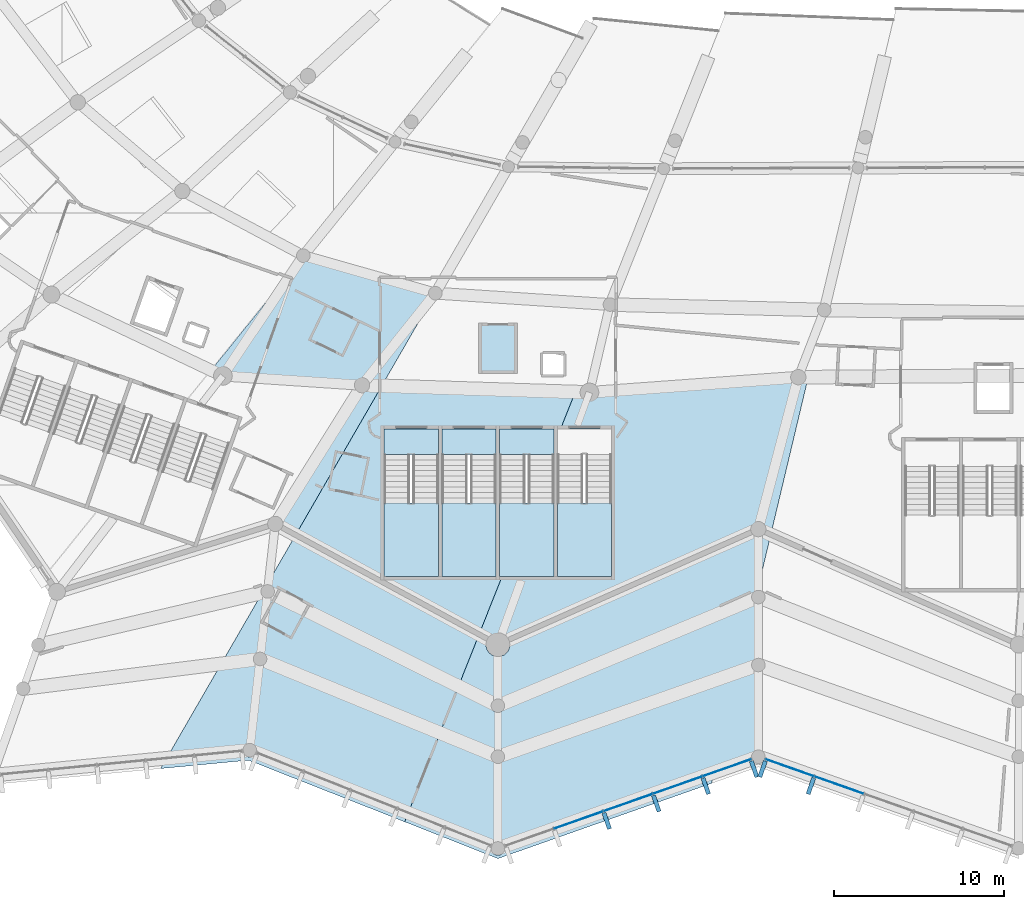
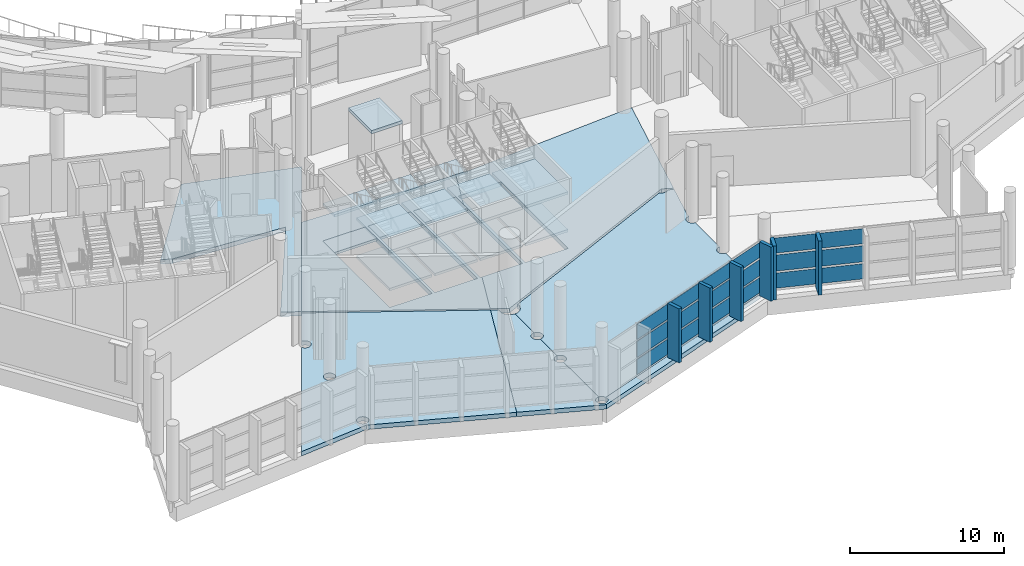
# One storey, part 100 of 249: 24 plates, 21 slabs, 6 elements without a shape of their own.
"""IFC4 building model written with IfcOpenShell, lengths in metres."""

import ifcopenshell
import ifcopenshell.guid

model = None  # the IFC model being written
_history = None  # IfcOwnerHistory: only IFC2X3 demands one
_inside = {}  # id of a spatial element -> (the spatial element, [elements in it])
_under = {}  # id of a project, library or spatial element -> (it, [spatial elements below it])
_declared = {}  # id of a project -> (the project, [libraries it declares])
_typed = {}  # id of a type object -> (the type object, [elements of that type])
_made_of = {}  # id of a material, layer set ... -> (it, [elements and type objects made of it])


def new_model(schema):
    """Start an empty IFC model of exactly this schema.

    Asked for "IFC4X3", IfcOpenShell would pick the latest addendum, in which some entities
    have other attributes; the version numbers below select the first issue.
    IFC2X3 requires an IfcOwnerHistory on every rooted entity: one is made here for all.
    """
    global model, _history
    if schema == "IFC4X3":
        model = ifcopenshell.file(schema_version=(4, 3, 0, 0))
    else:
        model = ifcopenshell.file(schema=schema)
    _inside.clear()
    _under.clear()
    _declared.clear()
    _typed.clear()
    _made_of.clear()
    _history = None
    if model.schema == "IFC2X3":
        org = make("IfcOrganization", Name="unknown")
        user = make(
            "IfcPersonAndOrganization",
            ThePerson=make("IfcPerson", FamilyName="unknown"),
            TheOrganization=org,
        )
        app = make(
            "IfcApplication",
            ApplicationDeveloper=org,
            Version="unknown",
            ApplicationFullName="unknown",
            ApplicationIdentifier="unknown",
        )
        _history = make(
            "IfcOwnerHistory",
            OwningUser=user,
            OwningApplication=app,
            ChangeAction="ADDED",
            CreationDate=0,
        )
    return model


def make(cls, **values):
    """One entity of the class cls with the attributes given. An attribute that is None is left unset."""
    return model.create_entity(
        cls, **{name: value for name, value in values.items() if value is not None}
    )


def rooted(cls, **values):
    """An entity with a GlobalId (a new one), such as an element, a storey or a relation."""
    return make(cls, GlobalId=ifcopenshell.guid.new(), OwnerHistory=_history, **values)


def si_unit(unit_type, name, prefix=None):
    """IfcSIUnit, for example si_unit("LENGTHUNIT", "METRE", prefix="MILLI")."""
    return make("IfcSIUnit", UnitType=unit_type, Prefix=prefix, Name=name)


def assignment(units):
    """IfcUnitAssignment: the units of a project."""
    return None if units is None else make("IfcUnitAssignment", Units=units)


def point(xyz):
    """IfcCartesianPoint."""
    return None if xyz is None else make("IfcCartesianPoint", Coordinates=xyz)


def direction(xyz):
    """IfcDirection."""
    return None if xyz is None else make("IfcDirection", DirectionRatios=xyz)


def frame(location, z_axis=None, x_axis=None):
    """IfcAxis2Placement3D, a coordinate frame: its origin and axes. An axis left out is left unset."""
    return make(
        "IfcAxis2Placement3D",
        Location=point(location),
        Axis=direction(z_axis),
        RefDirection=direction(x_axis),
    )


def frame_2d(location, x_axis=None):
    """IfcAxis2Placement2D, a coordinate frame in the plane: its origin and x axis."""
    return make(
        "IfcAxis2Placement2D", Location=point(location), RefDirection=direction(x_axis)
    )


def origin():
    """The frame at (0, 0, 0) with its axes left unset."""
    return frame((0.0, 0.0, 0.0))


def origin_2d():
    """The frame at (0, 0) in the plane with its x axis left unset."""
    return frame_2d((0.0, 0.0))


def place(relative_to, where):
    """IfcLocalPlacement: puts the frame where relative to a parent placement (None: the world)."""
    return make(
        "IfcLocalPlacement", PlacementRelTo=relative_to, RelativePlacement=where
    )


def context(
    kind, dimensions, precision=None, world=None, true_north=None, identifier=None
):
    """IfcGeometricRepresentationContext, for example the 3D "Model" context."""
    return make(
        "IfcGeometricRepresentationContext",
        ContextIdentifier=identifier,
        ContextType=kind,
        CoordinateSpaceDimension=dimensions,
        Precision=precision,
        WorldCoordinateSystem=world,
        TrueNorth=true_north,
    )


def subcontext(parent, identifier, kind, view, scale=None):
    """IfcGeometricRepresentationSubContext, for example "Body" below "Model"."""
    return make(
        "IfcGeometricRepresentationSubContext",
        ContextIdentifier=identifier,
        ContextType=kind,
        ParentContext=parent,
        TargetScale=scale,
        TargetView=view,
    )


def project(units=None, contexts=None):
    """IfcProject with its units and contexts."""
    return rooted(
        "IfcProject",
        Name="project",
        RepresentationContexts=contexts,
        UnitsInContext=assignment(units),
    )


def spatial(cls, under=None, at=None, **own):
    """A site, building, storey or space (cls), placed at a placement, below another one or the project."""
    s = rooted(cls, ObjectPlacement=at, **own)
    if under is not None:
        _under.setdefault(under.id(), (under, []))[1].append(s)
    return s


def polyline(points):
    """IfcPolyline through the points."""
    return make("IfcPolyline", Points=[point(p) for p in points])


def profile(cls, at=None, kind="AREA", **sizes):
    """A parametric profile (cls). Its sizes go by their IFC names, for example OverallWidth=200.0."""
    return make(cls, ProfileType=kind, Position=at, **sizes)


def rectangle(**sizes):
    """IfcRectangleProfileDef."""
    return profile("IfcRectangleProfileDef", **sizes)


def outline(outer, holes=None, kind="AREA"):
    """IfcArbitraryClosedProfileDef: a profile drawn as a closed curve; with holes, ...WithVoids."""
    if holes is None:
        return make("IfcArbitraryClosedProfileDef", ProfileType=kind, OuterCurve=outer)
    return make(
        "IfcArbitraryProfileDefWithVoids",
        ProfileType=kind,
        OuterCurve=outer,
        InnerCurves=holes,
    )


def extrude(swept, where, along, depth):
    """IfcExtrudedAreaSolid: the profile swept, set in the frame where, extruded along a direction by depth."""
    return make(
        "IfcExtrudedAreaSolid",
        SweptArea=swept,
        Position=where,
        ExtrudedDirection=direction(along),
        Depth=depth,
    )


def shape(context_of_items, identifier, shape_type, items):
    """IfcShapeRepresentation: the items that make up one representation, for example the "Body"."""
    return make(
        "IfcShapeRepresentation",
        ContextOfItems=context_of_items,
        RepresentationIdentifier=identifier,
        RepresentationType=shape_type,
        Items=items,
    )


def material(Name=None, Category=None):
    """IfcMaterial."""
    return make("IfcMaterial", Name=Name, Category=Category)


def layer(
    of_material, thickness, ventilated=None, Name=None, Category=None, Priority=None
):
    """IfcMaterialLayer: one layer of a wall or slab, of a material (None: an air gap)."""
    return make(
        "IfcMaterialLayer",
        Material=of_material,
        LayerThickness=thickness,
        IsVentilated=ventilated,
        Name=Name,
        Category=Category,
        Priority=Priority,
    )


def layer_set(layers, Name=None):
    """IfcMaterialLayerSet."""
    return make("IfcMaterialLayerSet", MaterialLayers=layers, LayerSetName=Name)


def made_of(thing, what):
    """Note that an element or type object is made of a material, layer set ...; save() writes the relation."""
    if what is not None:
        _made_of.setdefault(what.id(), (what, []))[1].append(thing)
    return thing


def type_object(cls, material=None, **own):
    """A type object (cls), such as IfcWallType, which elements share."""
    return made_of(rooted(cls, **own), material)


def element(
    cls,
    number,
    at=None,
    inside=None,
    cuts=None,
    type_object=None,
    material=None,
    context=None,
    identifier="Body",
    shape_type=None,
    held_by="IfcProductDefinitionShape",
    body=None,
    shapes=None,
    **own,
):
    """One element of the class cls, such as IfcWall. Its Tag is "e" and its number.

    at: its placement. inside: the storey or other place that contains it. cuts: it is an
    opening in that element (IfcRelVoidsElement). A single representation is given by context,
    identifier, shape_type and body (its items); several are given by shapes. held_by: the class
    of the entity that holds the representations. save() writes the other relations.
    """
    e = rooted(cls, Tag="e%d" % number, ObjectPlacement=at, **own)
    if body is not None:
        shapes = [shape(context, identifier, shape_type, body)]
    if shapes is not None:
        e.Representation = make(held_by, Representations=shapes)
    if inside is not None:
        _inside.setdefault(inside.id(), (inside, []))[1].append(e)
    if cuts is not None:
        rooted(
            "IfcRelVoidsElement", RelatingBuildingElement=cuts, RelatedOpeningElement=e
        )
    if type_object is not None:
        _typed.setdefault(type_object.id(), (type_object, []))[1].append(e)
    return made_of(e, material)


def aggregate(whole, parts):
    """IfcRelAggregates: a whole, such as a stair, and the parts it consists of."""
    return rooted("IfcRelAggregates", RelatingObject=whole, RelatedObjects=parts)


def save(model, path):
    """Write the relations noted so far, then the file.

    IfcRelAggregates (storeys below a building ...), IfcRelContainedInSpatialStructure (elements
    in a storey), IfcRelDefinesByType, IfcRelAssociatesMaterial and IfcRelDeclares: one each for
    every whole, place, type object, material and project.
    """
    for whole, parts in _under.values():
        aggregate(whole, parts)
    for where, things in _inside.values():
        rooted(
            "IfcRelContainedInSpatialStructure",
            RelatedElements=things,
            RelatingStructure=where,
        )
    for kind, things in _typed.values():
        rooted("IfcRelDefinesByType", RelatedObjects=things, RelatingType=kind)
    for what, things in _made_of.values():
        rooted("IfcRelAssociatesMaterial", RelatedObjects=things, RelatingMaterial=what)
    for by, libraries in _declared.values():
        rooted("IfcRelDeclares", RelatingContext=by, RelatedDefinitions=libraries)
    model.write(path)


model = new_model("IFC4")

# Units and contexts
model_context = context("Model", 3, precision=1e-05, world=origin(), true_north=direction((0.0, 1.0)))
body_context = subcontext(model_context, "Body", "Model", "MODEL_VIEW")
ifc_project = project(units=[si_unit("LENGTHUNIT", "METRE"), si_unit("AREAUNIT", "SQUARE_METRE"), si_unit("VOLUMEUNIT", "CUBIC_METRE"), si_unit("PLANEANGLEUNIT", "RADIAN"), si_unit("MASSUNIT", "GRAM", prefix="KILO")], contexts=[model_context])

# Site, building, storey
site_placement = place(None, origin())
site = spatial("IfcSite", under=ifc_project, at=site_placement, CompositionType="ELEMENT")
building_placement = place(site_placement, origin())
building = spatial("IfcBuilding", under=site, at=building_placement, Name="Meseta Stadium", CompositionType="ELEMENT")
storey_placement = place(building_placement, frame((0.0, 0.0, 12.0)))
storey = spatial("IfcBuildingStorey", under=building, at=storey_placement, Name="L02", CompositionType="ELEMENT", Elevation=12.0)

# Slabs
ifc_material_1 = material(Name="Concrete C40/50", Category="concrete")
ifc_layer_1 = layer(ifc_material_1, 0.25)
ifc_layer_set_1 = layer_set([ifc_layer_1], Name="Core roof slab 250")
slab_type_1 = type_object("IfcSlabType", Name="Core roof slab 250", PredefinedType="ROOF", material=ifc_layer_set_1)
slab_1_placement = place(storey_placement, frame((0.0, 0.0, 4.60009765625)))
element("IfcSlab", 1, at=slab_1_placement, inside=storey, type_object=slab_type_1, Name="Core 23 lift overrun roof", PredefinedType="ROOF", context=body_context, shape_type="SweptSolid", body=[
    extrude(outline(polyline([(-39.4833984375, -89.451171875), (-39.4833984375, -86.451171875), (-37.183349609375, -86.451171875), (-37.183349609375, -89.451171875), (-39.4833984375, -89.451171875)])), origin(), (0.0, 0.0, 1.0), 0.25),
])
ifc_material_2 = material(Name="Concrete C40/50", Category="concrete")
ifc_layer_2 = layer(ifc_material_2, 0.35009765625)
ifc_layer_set_2 = layer_set([ifc_layer_2], Name="Floor slab 350")
slab_type_2 = type_object("IfcSlabType", Name="Floor slab 350", PredefinedType="FLOOR", material=ifc_layer_set_2)
slab_2_placement = place(storey_placement, frame((0.0, 0.0, -0.35009765625)))
element("IfcSlab", 2, at=slab_2_placement, inside=storey, type_object=slab_type_2, Name="Floor slab L02 sector 42 panel 02", PredefinedType="FLOOR", context=body_context, shape_type="SweptSolid", body=[
    extrude(outline(polyline([(-55.224365234375, -89.246826171875), (-54.523193359375, -89.579345703125), (-46.333251953125, -90.126220703125), (-51.44140625, -98.29443359375), (-50.244384765625, -98.943359375), (-42.015380859375, -84.707275390625), (-49.781005859375, -82.501953125), (-55.224365234375, -89.246826171875)])), origin(), (0.0, 0.0, 1.0), 0.35009765625),
])
slab_3_placement = place(storey_placement, frame((0.0, 0.0, -0.35009765625)))
element("IfcSlab", 3, at=slab_3_placement, inside=storey, type_object=slab_type_2, Name="Floor slab L02 sector 42 panel 04", PredefinedType="FLOOR", context=body_context, shape_type="SweptSolid", body=[
    extrude(outline(polyline([(-45.169189453125, -90.1630859375), (-50.244384765625, -98.943359375), (-39.443603515625, -104.798095703125), (-38.09521484375, -101.39990234375), (-38.2333984375, -101.39990234375), (-38.2333984375, -92.699951171875), (-35.033203125, -92.699951171875), (-35.033203125, -93.683837890625), (-34.833251953125, -93.179931640625), (-34.833251953125, -92.699951171875), (-34.642822265625, -92.699951171875), (-33.779541015625, -90.524658203125), (-45.169189453125, -90.1630859375)]), holes=[polyline([(-45.033203125, -92.699951171875), (-41.833251953125, -92.699951171875), (-41.833251953125, -101.39990234375), (-45.033203125, -101.39990234375), (-45.033203125, -92.699951171875)]), polyline([(-41.63330078125, -92.699951171875), (-38.433349609375, -92.699951171875), (-38.433349609375, -101.39990234375), (-41.63330078125, -101.39990234375), (-41.63330078125, -92.699951171875)])]), origin(), (0.0, 0.0, 1.0), 0.35009765625),
])
slab_4_placement = place(storey_placement, frame((0.0, 0.0, -0.35009765625)))
element("IfcSlab", 4, at=slab_4_placement, inside=storey, type_object=slab_type_2, Name="Floor slab L02 sector 42 panel 06", PredefinedType="FLOOR", context=body_context, shape_type="SweptSolid", body=[
    extrude(outline(polyline([(-35.033203125, -93.683837890625), (-35.033203125, -101.39990234375), (-38.09521484375, -101.39990234375), (-39.443603515625, -104.798095703125), (-38.333251953125, -105.39990234375), (-23.0, -98.60009765625), (-22.267822265625, -98.9248046875), (-20.059814453125, -89.651611328125), (-20.649658203125, -89.65625), (-32.944091796875, -90.551025390625), (-33.779541015625, -90.524658203125), (-34.642822265625, -92.699951171875), (-31.63330078125, -92.699951171875), (-31.63330078125, -101.39990234375), (-34.833251953125, -101.39990234375), (-34.833251953125, -93.179931640625), (-35.033203125, -93.683837890625)])), origin(), (0.0, 0.0, 1.0), 0.35009765625),
])
slab_5_placement = place(storey_placement, frame((0.0, 0.0, -0.35009765625)))
element("IfcSlab", 5, at=slab_5_placement, inside=storey, type_object=slab_type_2, Name="Ring floor slab L02 6 panel 02", PredefinedType="FLOOR", context=body_context, shape_type="SweptSolid", body=[
    extrude(outline(polyline([(-50.3193359375, -99.0732421875), (-51.937255859375, -101.8720703125), (-51.889404296875, -101.86572265625), (-51.784912109375, -101.879638671875), (-51.6875, -101.919921875), (-51.60400390625, -101.98388671875), (-51.539794921875, -102.0673828125), (-51.49951171875, -102.164794921875), (-51.48583984375, -102.269287109375), (-51.49951171875, -102.373779296875), (-51.539794921875, -102.470947265625), (-51.60400390625, -102.554443359375), (-51.6875, -102.61865234375), (-51.784912109375, -102.658935546875), (-51.889404296875, -102.672607421875), (-51.993896484375, -102.658935546875), (-52.091064453125, -102.61865234375), (-52.174560546875, -102.554443359375), (-52.23876953125, -102.470947265625), (-52.25732421875, -102.426025390625), (-58.19482421875, -112.697998046875), (-53.009033203125, -112.206298828125), (-43.822509765625, -115.8330078125), (-39.49951171875, -104.9384765625), (-50.3193359375, -99.0732421875)]), holes=[polyline([(-52.726806640625, -106.1396484375), (-52.6865234375, -106.04248046875), (-52.62255859375, -105.958740234375), (-52.538818359375, -105.894775390625), (-52.441650390625, -105.8544921875), (-52.337158203125, -105.8408203125), (-52.23291015625, -105.8544921875), (-52.135498046875, -105.894775390625), (-52.052001953125, -105.958740234375), (-51.98779296875, -106.04248046875), (-51.947509765625, -106.1396484375), (-51.93359375, -106.244140625), (-51.947509765625, -106.348388671875), (-51.98779296875, -106.44580078125), (-52.052001953125, -106.529296875), (-52.135498046875, -106.593505859375), (-52.23291015625, -106.6337890625), (-52.337158203125, -106.647705078125), (-52.441650390625, -106.6337890625), (-52.538818359375, -106.593505859375), (-52.62255859375, -106.529296875), (-52.6865234375, -106.44580078125), (-52.726806640625, -106.348388671875), (-52.740478515625, -106.244140625), (-52.726806640625, -106.1396484375)]), polyline([(-52.83740234375, -112.0), (-52.94189453125, -112.013671875), (-53.046142578125, -112.0), (-53.1435546875, -111.959716796875), (-53.22705078125, -111.8955078125), (-53.291259765625, -111.81201171875), (-53.33154296875, -111.714599609375), (-53.34521484375, -111.610107421875), (-53.33154296875, -111.505615234375), (-53.291259765625, -111.408447265625), (-53.22705078125, -111.324951171875), (-53.1435546875, -111.2607421875), (-53.046142578125, -111.220458984375), (-52.94189453125, -111.206787109375), (-52.83740234375, -111.220458984375), (-52.739990234375, -111.2607421875), (-52.656494140625, -111.324951171875), (-52.59228515625, -111.408447265625), (-52.552001953125, -111.505615234375), (-52.538330078125, -111.610107421875), (-52.552001953125, -111.714599609375), (-52.59228515625, -111.81201171875), (-52.656494140625, -111.8955078125), (-52.739990234375, -111.959716796875), (-52.83740234375, -112.0)])]), origin(), (0.0, 0.0, 1.0), 0.35009765625),
])
slab_6_placement = place(storey_placement, frame((0.0, 0.0, -0.35009765625)))
element("IfcSlab", 6, at=slab_6_placement, inside=storey, type_object=slab_type_2, Name="Ring floor slab L02 6 panel 03", PredefinedType="FLOOR", context=body_context, shape_type="SweptSolid", body=[
    extrude(outline(polyline([(-39.009765625, -105.203857421875), (-39.49951171875, -104.9384765625), (-43.822509765625, -115.8330078125), (-38.333251953125, -118.0), (-25.7548828125, -113.5703125), (-25.598876953125, -112.915283203125), (-37.95556640625, -117.266845703125), (-37.943603515625, -117.295654296875), (-37.929931640625, -117.39990234375), (-37.943603515625, -117.50439453125), (-37.98388671875, -117.601806640625), (-38.048095703125, -117.685302734375), (-38.131591796875, -117.74951171875), (-38.22900390625, -117.789794921875), (-38.333251953125, -117.803466796875), (-38.437744140625, -117.789794921875), (-38.53515625, -117.74951171875), (-38.61865234375, -117.685302734375), (-38.6826171875, -117.601806640625), (-38.722900390625, -117.50439453125), (-38.73681640625, -117.39990234375), (-38.722900390625, -117.295654296875), (-38.705078125, -117.252685546875), (-38.6826171875, -117.1982421875), (-38.61865234375, -117.11474609375), (-38.53515625, -117.050537109375), (-38.437744140625, -117.01025390625), (-38.333251953125, -116.99658203125), (-38.333251953125, -112.403564453125), (-38.437744140625, -112.3896484375), (-38.53515625, -112.349365234375), (-38.61865234375, -112.285400390625), (-38.6826171875, -112.20166015625), (-38.722900390625, -112.1044921875), (-38.73681640625, -112.0), (-38.722900390625, -111.8955078125), (-38.703369140625, -111.847900390625), (-38.6826171875, -111.79833984375), (-38.61865234375, -111.714599609375), (-38.53515625, -111.650634765625), (-38.437744140625, -111.6103515625), (-38.333251953125, -111.596435546875), (-38.333251953125, -109.403564453125), (-38.437744140625, -109.3896484375), (-38.53515625, -109.349365234375), (-38.61865234375, -109.285400390625), (-38.6826171875, -109.20166015625), (-38.722900390625, -109.1044921875), (-38.73681640625, -109.0), (-38.722900390625, -108.8955078125), (-38.6923828125, -108.82177734375), (-38.6826171875, -108.79833984375), (-38.61865234375, -108.714599609375), (-38.53515625, -108.650634765625), (-38.437744140625, -108.6103515625), (-38.333251953125, -108.596435546875), (-38.333251953125, -106.10595703125), (-38.51611328125, -106.08203125), (-38.686279296875, -106.011474609375), (-38.83251953125, -105.899169921875), (-38.94482421875, -105.7529296875), (-39.015380859375, -105.582763671875), (-39.039306640625, -105.39990234375), (-39.015380859375, -105.21728515625), (-39.009765625, -105.203857421875)])), origin(), (0.0, 0.0, 1.0), 0.35009765625),
])
slab_7_placement = place(storey_placement, frame((0.0, 0.0, -0.35009765625)))
element("IfcSlab", 7, at=slab_7_placement, inside=storey, type_object=slab_type_2, Name="Ring floor slab L02 6 panel 04", PredefinedType="FLOOR", context=body_context, shape_type="SweptSolid", body=[
    extrude(outline(polyline([(-23.1044921875, -102.210205078125), (-23.0, -102.196533203125), (-23.0, -102.0), (-22.302978515625, -99.072998046875), (-22.670654296875, -98.91015625), (-22.67919921875, -98.9208984375), (-22.773193359375, -98.9931640625), (-22.882568359375, -99.038330078125), (-23.0, -99.053955078125), (-23.117431640625, -99.038330078125), (-23.226806640625, -98.9931640625), (-23.32080078125, -98.9208984375), (-23.329345703125, -98.91015625), (-37.645751953125, -105.25927734375), (-37.627197265625, -105.39990234375), (-37.6513671875, -105.582763671875), (-37.721923828125, -105.7529296875), (-37.833984375, -105.899169921875), (-37.980224609375, -106.011474609375), (-38.150634765625, -106.08203125), (-38.333251953125, -106.10595703125), (-38.333251953125, -108.596435546875), (-38.22900390625, -108.6103515625), (-38.131591796875, -108.650634765625), (-38.048095703125, -108.714599609375), (-37.98388671875, -108.79833984375), (-37.943603515625, -108.8955078125), (-37.929931640625, -109.0), (-37.943603515625, -109.1044921875), (-37.98388671875, -109.20166015625), (-38.048095703125, -109.285400390625), (-38.131591796875, -109.349365234375), (-38.22900390625, -109.3896484375), (-38.333251953125, -109.403564453125), (-38.333251953125, -111.596435546875), (-38.22900390625, -111.6103515625), (-38.131591796875, -111.650634765625), (-38.048095703125, -111.714599609375), (-37.98388671875, -111.79833984375), (-37.943603515625, -111.8955078125), (-37.929931640625, -112.0), (-37.943603515625, -112.1044921875), (-37.98388671875, -112.20166015625), (-38.048095703125, -112.285400390625), (-38.131591796875, -112.349365234375), (-38.22900390625, -112.3896484375), (-38.333251953125, -112.403564453125), (-38.333251953125, -116.99658203125), (-38.22900390625, -117.01025390625), (-38.131591796875, -117.050537109375), (-38.048095703125, -117.11474609375), (-37.98388671875, -117.1982421875), (-37.95556640625, -117.266845703125), (-23.377685546875, -112.133056640625), (-23.3896484375, -112.1044921875), (-23.403564453125, -112.0), (-23.3896484375, -111.8955078125), (-23.349365234375, -111.79833984375), (-23.285400390625, -111.714599609375), (-23.20166015625, -111.650634765625), (-23.1044921875, -111.6103515625), (-23.0, -111.596435546875), (-23.0, -107.00341796875), (-23.1044921875, -106.98974609375), (-23.20166015625, -106.949462890625), (-23.285400390625, -106.88525390625), (-23.349365234375, -106.8017578125), (-23.3896484375, -106.704345703125), (-23.403564453125, -106.60009765625), (-23.3896484375, -106.49560546875), (-23.349365234375, -106.398193359375), (-23.285400390625, -106.314697265625), (-23.20166015625, -106.25048828125), (-23.1044921875, -106.210205078125), (-23.0, -106.196533203125), (-23.0, -103.00341796875), (-23.1044921875, -102.98974609375), (-23.20166015625, -102.949462890625), (-23.285400390625, -102.88525390625), (-23.349365234375, -102.8017578125), (-23.3896484375, -102.704345703125), (-23.403564453125, -102.60009765625), (-23.3896484375, -102.49560546875), (-23.349365234375, -102.398193359375), (-23.285400390625, -102.314697265625), (-23.20166015625, -102.25048828125), (-23.1044921875, -102.210205078125)])), origin(), (0.0, 0.0, 1.0), 0.35009765625),
])

# Curtain wall, plates
ifc_material_3 = material(Name="Aluminium", Category="aluminium")
ifc_layer_3 = layer(ifc_material_3, 0.199951171875)
ifc_layer_set_3 = layer_set([ifc_layer_3], Name="Ring shopfront curtain wall")
curtain_wall_type = type_object("IfcCurtainWallType", Name="Ring shopfront curtain wall", PredefinedType="NOTDEFINED", material=ifc_layer_set_3)
curtain_wall_1_placement = place(storey_placement, origin())
curtain_wall_1 = element("IfcCurtainWall", 8, at=curtain_wall_1_placement, inside=storey, type_object=curtain_wall_type, Name="Ring glazing L02 F44", PredefinedType="NOTDEFINED")
ifc_material_4 = material(Name="Glass", Category="glass")
ifc_layer_4 = layer(ifc_material_4, 0.035888671875)
ifc_layer_set_4 = layer_set([ifc_layer_4], Name="Ring CW glass panel 36")
plate_type_1 = type_object("IfcPlateType", Name="Ring CW glass panel 36", PredefinedType="CURTAIN_PANEL", material=ifc_layer_set_4)
plate_1_placement = place(storey_placement, frame((-33.582275390625, -115.726806640625, 0.14990234375), z_axis=(0.0, 0.0, 1.0), x_axis=(0.943218009999, 0.332174330154, 0.0)))
plate_1 = element("IfcPlate", 9, at=plate_1_placement, type_object=plate_type_1, Name="CWR1 panel 2.1", PredefinedType="CURTAIN_PANEL", context=body_context, shape_type="SweptSolid", body=[
    extrude(rectangle(XDim=3.03125, YDim=0.035888671875, at=origin_2d()), origin(), (0.0, 0.0, 1.0), 1.208251953125),
])
plate_2_placement = place(storey_placement, frame((-33.582275390625, -115.726806640625, 1.50830078125), z_axis=(0.0, 0.0, 1.0), x_axis=(0.943218009999, 0.332174330154, 0.0)))
plate_2 = element("IfcPlate", 10, at=plate_2_placement, type_object=plate_type_1, Name="CWR1 panel 2.2", PredefinedType="CURTAIN_PANEL", context=body_context, shape_type="SweptSolid", body=[
    extrude(rectangle(XDim=3.03125, YDim=0.035888671875, at=origin_2d()), origin(), (0.0, 0.0, 1.0), 1.283447265625),
])
plate_3_placement = place(storey_placement, frame((-33.582275390625, -115.726806640625, 2.94189453125), z_axis=(0.0, 0.0, 1.0), x_axis=(0.943218009999, 0.332174330154, 0.0)))
plate_3 = element("IfcPlate", 11, at=plate_3_placement, type_object=plate_type_1, Name="CWR1 panel 2.3", PredefinedType="CURTAIN_PANEL", context=body_context, shape_type="SweptSolid", body=[
    extrude(rectangle(XDim=3.03125, YDim=0.035888671875, at=origin_2d()), origin(), (0.0, 0.0, 1.0), 1.208251953125),
])
plate_4_placement = place(storey_placement, frame((-30.666748046875, -114.699951171875, 0.14990234375), z_axis=(0.0, 0.0, 1.0), x_axis=(0.943218009999, 0.332174330154, 0.0)))
plate_4 = element("IfcPlate", 12, at=plate_4_placement, type_object=plate_type_1, Name="CWR1 panel 3.1", PredefinedType="CURTAIN_PANEL", context=body_context, shape_type="SweptSolid", body=[
    extrude(rectangle(XDim=3.03125, YDim=0.035888671875, at=origin_2d()), origin(), (0.0, 0.0, 1.0), 1.208251953125),
])
plate_5_placement = place(storey_placement, frame((-30.666748046875, -114.699951171875, 1.50830078125), z_axis=(0.0, 0.0, 1.0), x_axis=(0.943218009999, 0.332174330154, 0.0)))
plate_5 = element("IfcPlate", 13, at=plate_5_placement, type_object=plate_type_1, Name="CWR1 panel 3.2", PredefinedType="CURTAIN_PANEL", context=body_context, shape_type="SweptSolid", body=[
    extrude(rectangle(XDim=3.03125, YDim=0.035888671875, at=origin_2d()), origin(), (0.0, 0.0, 1.0), 1.283447265625),
])
plate_6_placement = place(storey_placement, frame((-30.666748046875, -114.699951171875, 2.94189453125), z_axis=(0.0, 0.0, 1.0), x_axis=(0.943218009999, 0.332174330154, 0.0)))
plate_6 = element("IfcPlate", 14, at=plate_6_placement, type_object=plate_type_1, Name="CWR1 panel 3.3", PredefinedType="CURTAIN_PANEL", context=body_context, shape_type="SweptSolid", body=[
    extrude(rectangle(XDim=3.03125, YDim=0.035888671875, at=origin_2d()), origin(), (0.0, 0.0, 1.0), 1.208251953125),
])
plate_7_placement = place(storey_placement, frame((-27.7509765625, -113.673095703125, 0.14990234375), z_axis=(0.0, 0.0, 1.0), x_axis=(0.943218009999, 0.332174330154, 0.0)))
plate_7 = element("IfcPlate", 15, at=plate_7_placement, type_object=plate_type_1, Name="CWR1 panel 4.1", PredefinedType="CURTAIN_PANEL", context=body_context, shape_type="SweptSolid", body=[
    extrude(rectangle(XDim=3.03125, YDim=0.035888671875, at=origin_2d()), origin(), (0.0, 0.0, 1.0), 1.208251953125),
])
plate_8_placement = place(storey_placement, frame((-27.7509765625, -113.673095703125, 1.50830078125), z_axis=(0.0, 0.0, 1.0), x_axis=(0.943218009999, 0.332174330154, 0.0)))
plate_8 = element("IfcPlate", 16, at=plate_8_placement, type_object=plate_type_1, Name="CWR1 panel 4.2", PredefinedType="CURTAIN_PANEL", context=body_context, shape_type="SweptSolid", body=[
    extrude(rectangle(XDim=3.03125, YDim=0.035888671875, at=origin_2d()), origin(), (0.0, 0.0, 1.0), 1.283447265625),
])
plate_9_placement = place(storey_placement, frame((-27.7509765625, -113.673095703125, 2.94189453125), z_axis=(0.0, 0.0, 1.0), x_axis=(0.943218009999, 0.332174330154, 0.0)))
plate_9 = element("IfcPlate", 17, at=plate_9_placement, type_object=plate_type_1, Name="CWR1 panel 4.3", PredefinedType="CURTAIN_PANEL", context=body_context, shape_type="SweptSolid", body=[
    extrude(rectangle(XDim=3.03125, YDim=0.035888671875, at=origin_2d()), origin(), (0.0, 0.0, 1.0), 1.208251953125),
])
plate_10_placement = place(storey_placement, frame((-24.849365234375, -112.6513671875, 0.14990234375), z_axis=(0.0, 0.0, 1.0), x_axis=(0.943218009999, 0.332174330154, 0.0)))
plate_10 = element("IfcPlate", 18, at=plate_10_placement, type_object=plate_type_1, Name="CWR1 panel 5.1", PredefinedType="CURTAIN_PANEL", context=body_context, shape_type="SweptSolid", body=[
    extrude(rectangle(XDim=3.001220703125, YDim=0.035888671875, at=origin_2d()), origin(), (0.0, 0.0, 1.0), 1.208251953125),
])
plate_11_placement = place(storey_placement, frame((-24.849365234375, -112.6513671875, 1.50830078125), z_axis=(0.0, 0.0, 1.0), x_axis=(0.943218009999, 0.332174330154, 0.0)))
plate_11 = element("IfcPlate", 19, at=plate_11_placement, type_object=plate_type_1, Name="CWR1 panel 5.2", PredefinedType="CURTAIN_PANEL", context=body_context, shape_type="SweptSolid", body=[
    extrude(rectangle(XDim=3.001220703125, YDim=0.035888671875, at=origin_2d()), origin(), (0.0, 0.0, 1.0), 1.283447265625),
])
plate_12_placement = place(storey_placement, frame((-24.849365234375, -112.6513671875, 2.94189453125), z_axis=(0.0, 0.0, 1.0), x_axis=(0.943218009999, 0.332174330154, 0.0)))
plate_12 = element("IfcPlate", 20, at=plate_12_placement, type_object=plate_type_1, Name="CWR1 panel 5.3", PredefinedType="CURTAIN_PANEL", context=body_context, shape_type="SweptSolid", body=[
    extrude(rectangle(XDim=3.001220703125, YDim=0.035888671875, at=origin_2d()), origin(), (0.0, 0.0, 1.0), 1.208251953125),
])
aggregate(curtain_wall_1, [plate_1, plate_2, plate_3, plate_4, plate_5, plate_6, plate_7, plate_8, plate_9, plate_10, plate_11, plate_12])

curtain_wall_2_placement = place(storey_placement, origin())
curtain_wall_2 = element("IfcCurtainWall", 21, at=curtain_wall_2_placement, inside=storey, type_object=curtain_wall_type, Name="Ring glazing L02 F45", PredefinedType="NOTDEFINED")
plate_13_placement = place(storey_placement, frame((-21.150634765625, -112.6513671875, 0.14990234375), z_axis=(0.0, 0.0, 1.0), x_axis=(0.943218009999, -0.332174330154, 0.0)))
plate_13 = element("IfcPlate", 22, at=plate_13_placement, type_object=plate_type_1, Name="CWR1 panel 1.1", PredefinedType="CURTAIN_PANEL", context=body_context, shape_type="SweptSolid", body=[
    extrude(rectangle(XDim=3.001220703125, YDim=0.035888671875, at=origin_2d()), origin(), (0.0, 0.0, 1.0), 1.208251953125),
])
plate_14_placement = place(storey_placement, frame((-21.150634765625, -112.6513671875, 1.50830078125), z_axis=(0.0, 0.0, 1.0), x_axis=(0.943218009999, -0.332174330154, 0.0)))
plate_14 = element("IfcPlate", 23, at=plate_14_placement, type_object=plate_type_1, Name="CWR1 panel 1.2", PredefinedType="CURTAIN_PANEL", context=body_context, shape_type="SweptSolid", body=[
    extrude(rectangle(XDim=3.001220703125, YDim=0.035888671875, at=origin_2d()), origin(), (0.0, 0.0, 1.0), 1.283447265625),
])
plate_15_placement = place(storey_placement, frame((-21.150634765625, -112.6513671875, 2.94189453125), z_axis=(0.0, 0.0, 1.0), x_axis=(0.943218009999, -0.332174330154, 0.0)))
plate_15 = element("IfcPlate", 24, at=plate_15_placement, type_object=plate_type_1, Name="CWR1 panel 1.3", PredefinedType="CURTAIN_PANEL", context=body_context, shape_type="SweptSolid", body=[
    extrude(rectangle(XDim=3.001220703125, YDim=0.035888671875, at=origin_2d()), origin(), (0.0, 0.0, 1.0), 1.208251953125),
])
plate_16_placement = place(storey_placement, frame((-18.2490234375, -113.673095703125, 0.14990234375), z_axis=(0.0, 0.0, 1.0), x_axis=(0.943218009999, -0.332174330154, 0.0)))
plate_16 = element("IfcPlate", 25, at=plate_16_placement, type_object=plate_type_1, Name="CWR1 panel 2.1", PredefinedType="CURTAIN_PANEL", context=body_context, shape_type="SweptSolid", body=[
    extrude(rectangle(XDim=3.03125, YDim=0.035888671875, at=origin_2d()), origin(), (0.0, 0.0, 1.0), 1.208251953125),
])
plate_17_placement = place(storey_placement, frame((-18.2490234375, -113.673095703125, 1.50830078125), z_axis=(0.0, 0.0, 1.0), x_axis=(0.943218009999, -0.332174330154, 0.0)))
plate_17 = element("IfcPlate", 26, at=plate_17_placement, type_object=plate_type_1, Name="CWR1 panel 2.2", PredefinedType="CURTAIN_PANEL", context=body_context, shape_type="SweptSolid", body=[
    extrude(rectangle(XDim=3.03125, YDim=0.035888671875, at=origin_2d()), origin(), (0.0, 0.0, 1.0), 1.283447265625),
])
plate_18_placement = place(storey_placement, frame((-18.2490234375, -113.673095703125, 2.94189453125), z_axis=(0.0, 0.0, 1.0), x_axis=(0.943218009999, -0.332174330154, 0.0)))
plate_18 = element("IfcPlate", 27, at=plate_18_placement, type_object=plate_type_1, Name="CWR1 panel 2.3", PredefinedType="CURTAIN_PANEL", context=body_context, shape_type="SweptSolid", body=[
    extrude(rectangle(XDim=3.03125, YDim=0.035888671875, at=origin_2d()), origin(), (0.0, 0.0, 1.0), 1.208251953125),
])
aggregate(curtain_wall_2, [plate_13, plate_14, plate_15, plate_16, plate_17, plate_18])

# Plates
ifc_material_5 = material(Name="Precast concrete C40/50", Category="concrete")
ifc_layer_5 = layer(ifc_material_5, 0.25)
ifc_layer_set_5 = layer_set([ifc_layer_5], Name="Ring brise-soleil fin 250x1000")
plate_type_2 = type_object("IfcPlateType", Name="Ring brise-soleil fin 250x1000", PredefinedType="USERDEFINED", material=ifc_layer_set_5)
for number, where, z_axis, x_axis, name in (
    (28, (-31.92529296875, -115.779296875, 0.0), (0.0, 0.0, 1.0), (0.943217440256, 0.33217594795, 0.0), "Brise-soleil fin L02 F44.3"),
    (29, (-29.009521484375, -114.75244140625, 0.0), (0.0, 0.0, 1.0), (0.943217440256, 0.33217594795, 0.0), "Brise-soleil fin L02 F44.4"),
    (30, (-26.09375, -113.7255859375, 0.0), (0.0, 0.0, 1.0), (0.943217440256, 0.33217594795, 0.0), "Brise-soleil fin L02 F44.5"),
    (31, (-23.248779296875, -112.7236328125, 0.0), (0.0, 0.0, 1.0), (0.943217440256, 0.33217594795, 0.0), "Brise-soleil fin L02 F44.6"),
    (32, (-22.751220703125, -112.7236328125, 0.0), (0.0, 0.0, 1.0), (0.943217440256, -0.33217594795, 0.0), "Brise-soleil fin L02 F45.1"),
    (33, (-19.90625, -113.7255859375, 0.0), (0.0, 0.0, 1.0), (0.943217440256, -0.33217594795, 0.0), "Brise-soleil fin L02 F45.2"),
):
    element("IfcPlate", number, at=place(storey_placement, frame(where, z_axis=z_axis, x_axis=x_axis)), inside=storey, type_object=plate_type_2, Name=name, ObjectType="FIN", PredefinedType="USERDEFINED", context=body_context, shape_type="SweptSolid", body=[
        extrude(rectangle(XDim=0.25, YDim=1.0, at=origin_2d()), origin(), (0.0, 0.0, 1.0), 4.300048828125),
    ])

# Stair, slabs
ifc_material_6 = material(Name="Concrete C40/50", Category="concrete")
stair_type = type_object("IfcStairType", Name="Exit stair 4 flights 150 mm risers", PredefinedType="HALF_TURN_STAIR", material=ifc_material_6)
stair_1_placement = place(storey_placement, origin())
stair_1 = element("IfcStair", 34, at=stair_1_placement, inside=storey, type_object=stair_type, Name="ST89 L02", PredefinedType="HALF_TURN_STAIR")
ifc_material_7 = material(Name="Concrete C40/50", Category="concrete")
ifc_layer_6 = layer(ifc_material_7, 0.199951171875)
ifc_layer_set_6 = layer_set([ifc_layer_6], Name="Stair landing 200")
slab_type_3 = type_object("IfcSlabType", Name="Stair landing 200", PredefinedType="LANDING", material=ifc_layer_set_6)
slab_8_placement = place(storey_placement, frame((0.0, 0.0, 1.300048828125)))
slab_8 = element("IfcSlab", 35, at=slab_8_placement, type_object=slab_type_3, Name="ST89 L02 landing 1", PredefinedType="LANDING", context=body_context, shape_type="SweptSolid", body=[
    extrude(outline(polyline([(-45.033447265625, -97.070068359375), (-45.033447265625, -101.39990234375), (-41.833251953125, -101.39990234375), (-41.833251953125, -97.070068359375), (-45.033447265625, -97.070068359375)])), origin(), (0.0, 0.0, 1.0), 0.199951171875),
])
slab_9_placement = place(storey_placement, frame((0.0, 0.0, 2.800048828125)))
slab_9 = element("IfcSlab", 36, at=slab_9_placement, type_object=slab_type_3, Name="ST89 L02 landing 2", PredefinedType="LANDING", context=body_context, shape_type="SweptSolid", body=[
    extrude(outline(polyline([(-45.033447265625, -92.699951171875), (-45.033447265625, -94.2099609375), (-41.833251953125, -94.2099609375), (-41.833251953125, -92.699951171875), (-45.033447265625, -92.699951171875)])), origin(), (0.0, 0.0, 1.0), 0.199951171875),
])
slab_10_placement = place(storey_placement, frame((0.0, 0.0, 4.300048828125)))
slab_10 = element("IfcSlab", 37, at=slab_10_placement, type_object=slab_type_3, Name="ST89 L02 landing 3", PredefinedType="LANDING", context=body_context, shape_type="SweptSolid", body=[
    extrude(outline(polyline([(-45.033447265625, -97.070068359375), (-45.033447265625, -101.39990234375), (-41.833251953125, -101.39990234375), (-41.833251953125, -97.070068359375), (-45.033447265625, -97.070068359375)])), origin(), (0.0, 0.0, 1.0), 0.199951171875),
])
slab_11_placement = place(storey_placement, frame((0.0, 0.0, -0.199951171875)))
slab_11 = element("IfcSlab", 38, at=slab_11_placement, type_object=slab_type_3, Name="ST89 L02 landing 4", PredefinedType="LANDING", context=body_context, shape_type="SweptSolid", body=[
    extrude(outline(polyline([(-45.033447265625, -92.699951171875), (-45.033447265625, -94.2099609375), (-41.833251953125, -94.2099609375), (-41.833251953125, -92.699951171875), (-45.033447265625, -92.699951171875)])), origin(), (0.0, 0.0, 1.0), 0.199951171875),
])
aggregate(stair_1, [slab_8, slab_9, slab_10, slab_11])

stair_2_placement = place(storey_placement, origin())
stair_2 = element("IfcStair", 39, at=stair_2_placement, inside=storey, type_object=stair_type, Name="ST90 L02", PredefinedType="HALF_TURN_STAIR")
slab_12_placement = place(storey_placement, frame((0.0, 0.0, 1.300048828125)))
slab_12 = element("IfcSlab", 40, at=slab_12_placement, type_object=slab_type_3, Name="ST90 L02 landing 1", PredefinedType="LANDING", context=body_context, shape_type="SweptSolid", body=[
    extrude(outline(polyline([(-41.63330078125, -97.070068359375), (-41.63330078125, -101.39990234375), (-38.433349609375, -101.39990234375), (-38.433349609375, -97.070068359375), (-41.63330078125, -97.070068359375)])), origin(), (0.0, 0.0, 1.0), 0.199951171875),
])
slab_13_placement = place(storey_placement, frame((0.0, 0.0, 2.800048828125)))
slab_13 = element("IfcSlab", 41, at=slab_13_placement, type_object=slab_type_3, Name="ST90 L02 landing 2", PredefinedType="LANDING", context=body_context, shape_type="SweptSolid", body=[
    extrude(outline(polyline([(-41.63330078125, -92.699951171875), (-41.63330078125, -94.2099609375), (-38.433349609375, -94.2099609375), (-38.433349609375, -92.699951171875), (-41.63330078125, -92.699951171875)])), origin(), (0.0, 0.0, 1.0), 0.199951171875),
])
slab_14_placement = place(storey_placement, frame((0.0, 0.0, 4.300048828125)))
slab_14 = element("IfcSlab", 42, at=slab_14_placement, type_object=slab_type_3, Name="ST90 L02 landing 3", PredefinedType="LANDING", context=body_context, shape_type="SweptSolid", body=[
    extrude(outline(polyline([(-41.63330078125, -97.070068359375), (-41.63330078125, -101.39990234375), (-38.433349609375, -101.39990234375), (-38.433349609375, -97.070068359375), (-41.63330078125, -97.070068359375)])), origin(), (0.0, 0.0, 1.0), 0.199951171875),
])
slab_15_placement = place(storey_placement, frame((0.0, 0.0, -0.199951171875)))
slab_15 = element("IfcSlab", 43, at=slab_15_placement, type_object=slab_type_3, Name="ST90 L02 landing 4", PredefinedType="LANDING", context=body_context, shape_type="SweptSolid", body=[
    extrude(outline(polyline([(-41.63330078125, -92.699951171875), (-41.63330078125, -94.2099609375), (-38.433349609375, -94.2099609375), (-38.433349609375, -92.699951171875), (-41.63330078125, -92.699951171875)])), origin(), (0.0, 0.0, 1.0), 0.199951171875),
])
aggregate(stair_2, [slab_12, slab_13, slab_14, slab_15])

stair_3_placement = place(storey_placement, origin())
stair_3 = element("IfcStair", 44, at=stair_3_placement, inside=storey, type_object=stair_type, Name="ST91 L02", PredefinedType="HALF_TURN_STAIR")
slab_16_placement = place(storey_placement, frame((0.0, 0.0, 1.300048828125)))
slab_16 = element("IfcSlab", 45, at=slab_16_placement, type_object=slab_type_3, Name="ST91 L02 landing 1", PredefinedType="LANDING", context=body_context, shape_type="SweptSolid", body=[
    extrude(outline(polyline([(-38.2333984375, -97.070068359375), (-38.2333984375, -101.39990234375), (-35.033447265625, -101.39990234375), (-35.033447265625, -97.070068359375), (-38.2333984375, -97.070068359375)])), origin(), (0.0, 0.0, 1.0), 0.199951171875),
])
slab_17_placement = place(storey_placement, frame((0.0, 0.0, 2.800048828125)))
slab_17 = element("IfcSlab", 46, at=slab_17_placement, type_object=slab_type_3, Name="ST91 L02 landing 2", PredefinedType="LANDING", context=body_context, shape_type="SweptSolid", body=[
    extrude(outline(polyline([(-38.2333984375, -92.699951171875), (-38.2333984375, -94.2099609375), (-35.033447265625, -94.2099609375), (-35.033447265625, -92.699951171875), (-38.2333984375, -92.699951171875)])), origin(), (0.0, 0.0, 1.0), 0.199951171875),
])
slab_18_placement = place(storey_placement, frame((0.0, 0.0, 4.300048828125)))
slab_18 = element("IfcSlab", 47, at=slab_18_placement, type_object=slab_type_3, Name="ST91 L02 landing 3", PredefinedType="LANDING", context=body_context, shape_type="SweptSolid", body=[
    extrude(outline(polyline([(-38.2333984375, -97.070068359375), (-38.2333984375, -101.39990234375), (-35.033447265625, -101.39990234375), (-35.033447265625, -97.070068359375), (-38.2333984375, -97.070068359375)])), origin(), (0.0, 0.0, 1.0), 0.199951171875),
])
slab_19_placement = place(storey_placement, frame((0.0, 0.0, -0.199951171875)))
slab_19 = element("IfcSlab", 48, at=slab_19_placement, type_object=slab_type_3, Name="ST91 L02 landing 4", PredefinedType="LANDING", context=body_context, shape_type="SweptSolid", body=[
    extrude(outline(polyline([(-38.2333984375, -92.699951171875), (-38.2333984375, -94.2099609375), (-35.033447265625, -94.2099609375), (-35.033447265625, -92.699951171875), (-38.2333984375, -92.699951171875)])), origin(), (0.0, 0.0, 1.0), 0.199951171875),
])
aggregate(stair_3, [slab_16, slab_17, slab_18, slab_19])

stair_4_placement = place(storey_placement, origin())
stair_4 = element("IfcStair", 49, at=stair_4_placement, inside=storey, type_object=stair_type, Name="ST92 L02", PredefinedType="HALF_TURN_STAIR")
slab_20_placement = place(storey_placement, frame((0.0, 0.0, 1.300048828125)))
slab_20 = element("IfcSlab", 50, at=slab_20_placement, type_object=slab_type_3, Name="ST92 L02 landing 1", PredefinedType="LANDING", context=body_context, shape_type="SweptSolid", body=[
    extrude(outline(polyline([(-34.833251953125, -97.070068359375), (-34.833251953125, -101.39990234375), (-31.63330078125, -101.39990234375), (-31.63330078125, -97.070068359375), (-34.833251953125, -97.070068359375)])), origin(), (0.0, 0.0, 1.0), 0.199951171875),
])
slab_21_placement = place(storey_placement, frame((0.0, 0.0, 4.300048828125)))
slab_21 = element("IfcSlab", 51, at=slab_21_placement, type_object=slab_type_3, Name="ST92 L02 landing 3", PredefinedType="LANDING", context=body_context, shape_type="SweptSolid", body=[
    extrude(outline(polyline([(-34.833251953125, -97.070068359375), (-34.833251953125, -101.39990234375), (-31.63330078125, -101.39990234375), (-31.63330078125, -97.070068359375), (-34.833251953125, -97.070068359375)])), origin(), (0.0, 0.0, 1.0), 0.199951171875),
])
aggregate(stair_4, [slab_20, slab_21])

save(model, "model.ifc")
